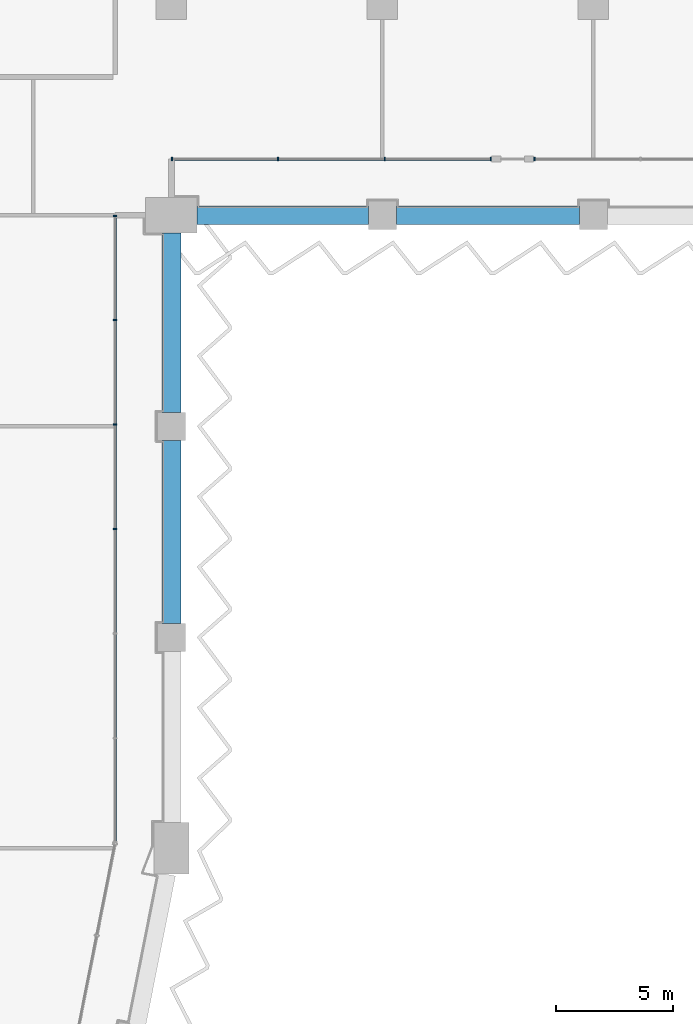
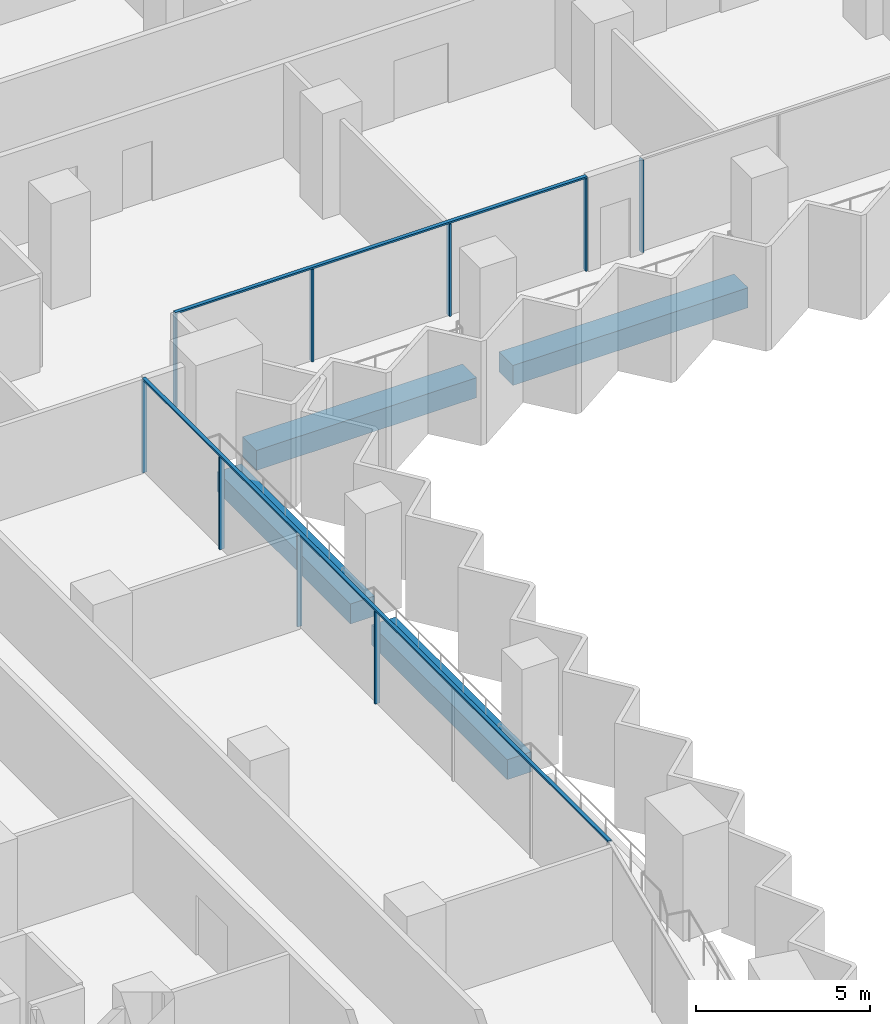
# One storey, part 4 of 23: 11 members, 4 beams, 3 elements without a shape of their own.
"""IFC4 building model written with IfcOpenShell, lengths in metres."""

from ifc_helpers import new_model, si_unit, direction, frame, origin, origin_2d, place, context, subcontext, project, spatial, rectangle, extrude, material, material_profile, profile_set, type_object, element, aggregate, save


model = new_model("IFC4")

# Units and contexts
model_context = context("Model", 3, precision=1e-05, world=origin(), true_north=direction((0.0, 1.0)))
body_context = subcontext(model_context, "Body", "Model", "MODEL_VIEW")
ifc_project = project(units=[si_unit("LENGTHUNIT", "METRE"), si_unit("AREAUNIT", "SQUARE_METRE"), si_unit("VOLUMEUNIT", "CUBIC_METRE"), si_unit("PLANEANGLEUNIT", "RADIAN"), si_unit("MASSUNIT", "GRAM", prefix="KILO")], contexts=[model_context])

# Site, building, storey
site_placement = place(None, origin())
site = spatial("IfcSite", under=ifc_project, at=site_placement, CompositionType="ELEMENT")
building_placement = place(site_placement, origin())
building = spatial("IfcBuilding", under=site, at=building_placement, Name="Hunhe Ridgeline Campus", CompositionType="ELEMENT")
storey_placement = place(building_placement, frame((0.0, 0.0, 99.60009765625)))
storey = spatial("IfcBuildingStorey", under=building, at=storey_placement, Name="L24", CompositionType="ELEMENT", Elevation=99.60009765625)

# Curtain wall, members
ifc_material_1 = material(Name="Aluminium 6063", Category="aluminium")
curtain_wall_type = type_object("IfcCurtainWallType", Name="Curtain wall CW-1", PredefinedType="NOTDEFINED", material=ifc_material_1)
curtain_wall_1_placement = place(storey_placement, origin())
curtain_wall_1 = element("IfcCurtainWall", 1, at=curtain_wall_1_placement, inside=storey, type_object=curtain_wall_type, Name="Curtain wall 11", PredefinedType="NOTDEFINED")
ifc_material_profile_1 = material_profile(ifc_material_1, rectangle(XDim=0.159912109375, YDim=0.06005859375, at=origin_2d()))
ifc_profile_set_1 = profile_set([ifc_material_profile_1], Name="Aluminium 6063")
member_type_1 = type_object("IfcMemberType", Name="CW-1 aluminium mullion", PredefinedType="MULLION", material=ifc_profile_set_1)
member_1_placement = place(storey_placement, frame((42.59912109375, 40.61865234375, 0.0), z_axis=(0.0, 0.0, 1.0), x_axis=(-0.99999999994, 1.0947456e-05, 0.0)))
member_1 = element("IfcMember", 2, at=member_1_placement, type_object=member_type_1, Name="CW-1 mullion 4", PredefinedType="MULLION", context=body_context, shape_type="SweptSolid", body=[
    extrude(rectangle(XDim=0.159912109375, YDim=0.06005859375, at=origin_2d()), origin(), (0.0, 0.0, 1.0), 3.239990234375),
])
member_2_placement = place(storey_placement, frame((42.59912109375, 45.079345703125, 0.0), z_axis=(0.0, 0.0, 1.0), x_axis=(-0.99999999994, 1.0947456e-05, 0.0)))
member_2 = element("IfcMember", 3, at=member_2_placement, type_object=member_type_1, Name="CW-1 mullion 5", PredefinedType="MULLION", context=body_context, shape_type="SweptSolid", body=[
    extrude(rectangle(XDim=0.159912109375, YDim=0.06005859375, at=origin_2d()), origin(), (0.0, 0.0, 1.0), 3.239990234375),
])
member_3_placement = place(storey_placement, frame((42.599365234375, 49.5400390625, 0.0), z_axis=(0.0, 0.0, 1.0), x_axis=(-0.99999999994, 1.0947456e-05, 0.0)))
member_3 = element("IfcMember", 4, at=member_3_placement, type_object=member_type_1, Name="CW-1 mullion 6", PredefinedType="MULLION", context=body_context, shape_type="SweptSolid", body=[
    extrude(rectangle(XDim=0.159912109375, YDim=0.06005859375, at=origin_2d()), origin(), (0.0, 0.0, 1.0), 3.239990234375),
])
member_4_placement = place(storey_placement, frame((42.599365234375, 53.970703125, 0.0), z_axis=(0.0, 0.0, 1.0), x_axis=(-0.99999999994, 1.0947456e-05, 0.0)))
member_4 = element("IfcMember", 5, at=member_4_placement, type_object=member_type_1, Name="CW-1 mullion 7", PredefinedType="MULLION", context=body_context, shape_type="SweptSolid", body=[
    extrude(rectangle(XDim=0.159912109375, YDim=0.06005859375, at=origin_2d()), origin(), (0.0, 0.0, 1.0), 3.239990234375),
])

curtain_wall_2_placement = place(storey_placement, origin())
curtain_wall_2 = element("IfcCurtainWall", 6, at=curtain_wall_2_placement, inside=storey, type_object=curtain_wall_type, Name="Curtain wall 12", PredefinedType="NOTDEFINED")
member_5_placement = place(storey_placement, frame((45.02978515625, 56.40087890625, 0.0), z_axis=(0.0, 0.0, 1.0), x_axis=(-1.4652e-07, 1.0, 0.0)))
member_5 = element("IfcMember", 7, at=member_5_placement, type_object=member_type_1, Name="CW-1 mullion 1", PredefinedType="MULLION", context=body_context, shape_type="SweptSolid", body=[
    extrude(rectangle(XDim=0.159912109375, YDim=0.06005859375, at=origin_2d()), origin(), (0.0, 0.0, 1.0), 3.239990234375),
])
member_6_placement = place(storey_placement, frame((49.5498046875, 56.40087890625, 0.0), z_axis=(0.0, 0.0, 1.0), x_axis=(-1.4652e-07, 1.0, 0.0)))
member_6 = element("IfcMember", 8, at=member_6_placement, type_object=member_type_1, Name="CW-1 mullion 2", PredefinedType="MULLION", context=body_context, shape_type="SweptSolid", body=[
    extrude(rectangle(XDim=0.159912109375, YDim=0.06005859375, at=origin_2d()), origin(), (0.0, 0.0, 1.0), 3.239990234375),
])
member_7_placement = place(storey_placement, frame((54.099609375, 56.40087890625, 0.0), z_axis=(0.0, 0.0, 1.0), x_axis=(-1.4652e-07, 1.0, 0.0)))
member_7 = element("IfcMember", 9, at=member_7_placement, type_object=member_type_1, Name="CW-1 mullion 3", PredefinedType="MULLION", context=body_context, shape_type="SweptSolid", body=[
    extrude(rectangle(XDim=0.159912109375, YDim=0.06005859375, at=origin_2d()), origin(), (0.0, 0.0, 1.0), 3.239990234375),
])
member_8_placement = place(storey_placement, frame((58.619384765625, 56.40087890625, 0.0), z_axis=(0.0, 0.0, 1.0), x_axis=(-1.4652e-07, 1.0, 0.0)))
member_8 = element("IfcMember", 10, at=member_8_placement, type_object=member_type_1, Name="CW-1 mullion 4", PredefinedType="MULLION", context=body_context, shape_type="SweptSolid", body=[
    extrude(rectangle(XDim=0.159912109375, YDim=0.06005859375, at=origin_2d()), origin(), (0.0, 0.0, 1.0), 3.239990234375),
])

# Curtain wall, member
curtain_wall_3_placement = place(storey_placement, origin())
curtain_wall_3 = element("IfcCurtainWall", 11, at=curtain_wall_3_placement, inside=storey, type_object=curtain_wall_type, Name="Curtain wall 13", PredefinedType="NOTDEFINED")
member_9_placement = place(storey_placement, frame((60.4794921875, 56.40087890625, 0.0), z_axis=(0.0, 0.0, 1.0), x_axis=(-1.4652e-07, 1.0, 0.0)))
member_9 = element("IfcMember", 12, at=member_9_placement, type_object=member_type_1, Name="CW-1 mullion 1", PredefinedType="MULLION", context=body_context, shape_type="SweptSolid", body=[
    extrude(rectangle(XDim=0.159912109375, YDim=0.06005859375, at=origin_2d()), origin(), (0.0, 0.0, 1.0), 3.239990234375),
])
aggregate(curtain_wall_3, [member_9])

# Member
ifc_material_profile_2 = material_profile(ifc_material_1, rectangle(XDim=0.1201171875, YDim=0.06005859375, at=origin_2d()))
ifc_profile_set_2 = profile_set([ifc_material_profile_2], Name="Aluminium 6063")
member_type_2 = type_object("IfcMemberType", Name="CW-1 aluminium transom", PredefinedType="USERDEFINED", material=ifc_profile_set_2)
member_10_placement = place(storey_placement, frame((42.59912109375, 27.236572265625, 3.27001953125), z_axis=(9.121924e-06, 0.999999999958, 0.0), x_axis=(-0.999999999958, 9.121924e-06, 0.0)))
member_10 = element("IfcMember", 13, at=member_10_placement, type_object=member_type_2, Name="CW-1 transom 1", ObjectType="TRANSOM", PredefinedType="USERDEFINED", context=body_context, shape_type="SweptSolid", body=[
    extrude(rectangle(XDim=0.1201171875, YDim=0.06005859375, at=origin_2d()), origin(), (0.0, 0.0, 1.0), 26.76416015625),
])

aggregate(curtain_wall_1, [member_10, member_1, member_2, member_3, member_4])

member_11_placement = place(storey_placement, frame((45.0, 56.40087890625, 3.27001953125), z_axis=(1.0, 0.0, 0.0), x_axis=(0.0, 1.0, 0.0)))
member_11 = element("IfcMember", 14, at=member_11_placement, type_object=member_type_2, Name="CW-1 transom 1", ObjectType="TRANSOM", PredefinedType="USERDEFINED", context=body_context, shape_type="SweptSolid", body=[
    extrude(rectangle(XDim=0.1201171875, YDim=0.06005859375, at=origin_2d()), origin(), (0.0, 0.0, 1.0), 13.6494140625),
])

aggregate(curtain_wall_2, [member_11, member_5, member_6, member_7, member_8])

# Beams
ifc_material_2 = material(Name="Concrete C60", Category="concrete")
ifc_material_profile_3 = material_profile(ifc_material_2, rectangle(XDim=0.800048828125, YDim=0.699951171875, at=origin_2d()))
ifc_profile_set_3 = profile_set([ifc_material_profile_3], Name="Concrete C60")
beam_type = type_object("IfcBeamType", Name="RC spandrel beam 800x700 Concrete C60", PredefinedType="SPANDREL", material=ifc_profile_set_3)
beam_1_placement = place(storey_placement, frame((45.0, 36.60009765625, -0.60009765625), z_axis=(0.0, 1.0, 0.0), x_axis=(-1.0, 0.0, 0.0)))
element("IfcBeam", 15, at=beam_1_placement, inside=storey, type_object=beam_type, Name="Spandrel beam B1-10 L24", PredefinedType="SPANDREL", context=body_context, shape_type="SweptSolid", body=[
    extrude(rectangle(XDim=0.800048828125, YDim=0.699951171875, at=origin_2d()), origin(), (0.0, 0.0, 1.0), 7.7998046875),
])
beam_2_placement = place(storey_placement, frame((45.0, 45.60009765625, -0.60009765625), z_axis=(0.0, 1.0, 0.0), x_axis=(-1.0, 0.0, 0.0)))
element("IfcBeam", 16, at=beam_2_placement, inside=storey, type_object=beam_type, Name="Spandrel beam B1-11 L24", PredefinedType="SPANDREL", context=body_context, shape_type="SweptSolid", body=[
    extrude(rectangle(XDim=0.800048828125, YDim=0.699951171875, at=origin_2d()), origin(), (0.0, 0.0, 1.0), 7.64990234375),
])
beam_3_placement = place(storey_placement, frame((46.10009765625, 54.0, -0.60009765625), z_axis=(1.0, 0.0, 0.0), x_axis=(0.0, 1.0, 0.0)))
element("IfcBeam", 17, at=beam_3_placement, inside=storey, type_object=beam_type, Name="Spandrel beam B1-12 L24", PredefinedType="SPANDREL", context=body_context, shape_type="SweptSolid", body=[
    extrude(rectangle(XDim=0.800048828125, YDim=0.699951171875, at=origin_2d()), origin(), (0.0, 0.0, 1.0), 7.2998046875),
])
beam_4_placement = place(storey_placement, frame((54.60009765625, 54.0, -0.60009765625), z_axis=(1.0, 0.0, 0.0), x_axis=(0.0, 1.0, 0.0)))
element("IfcBeam", 18, at=beam_4_placement, inside=storey, type_object=beam_type, Name="Spandrel beam B1-13 L24", PredefinedType="SPANDREL", context=body_context, shape_type="SweptSolid", body=[
    extrude(rectangle(XDim=0.800048828125, YDim=0.699951171875, at=origin_2d()), origin(), (0.0, 0.0, 1.0), 7.7998046875),
])

save(model, "model.ifc")
